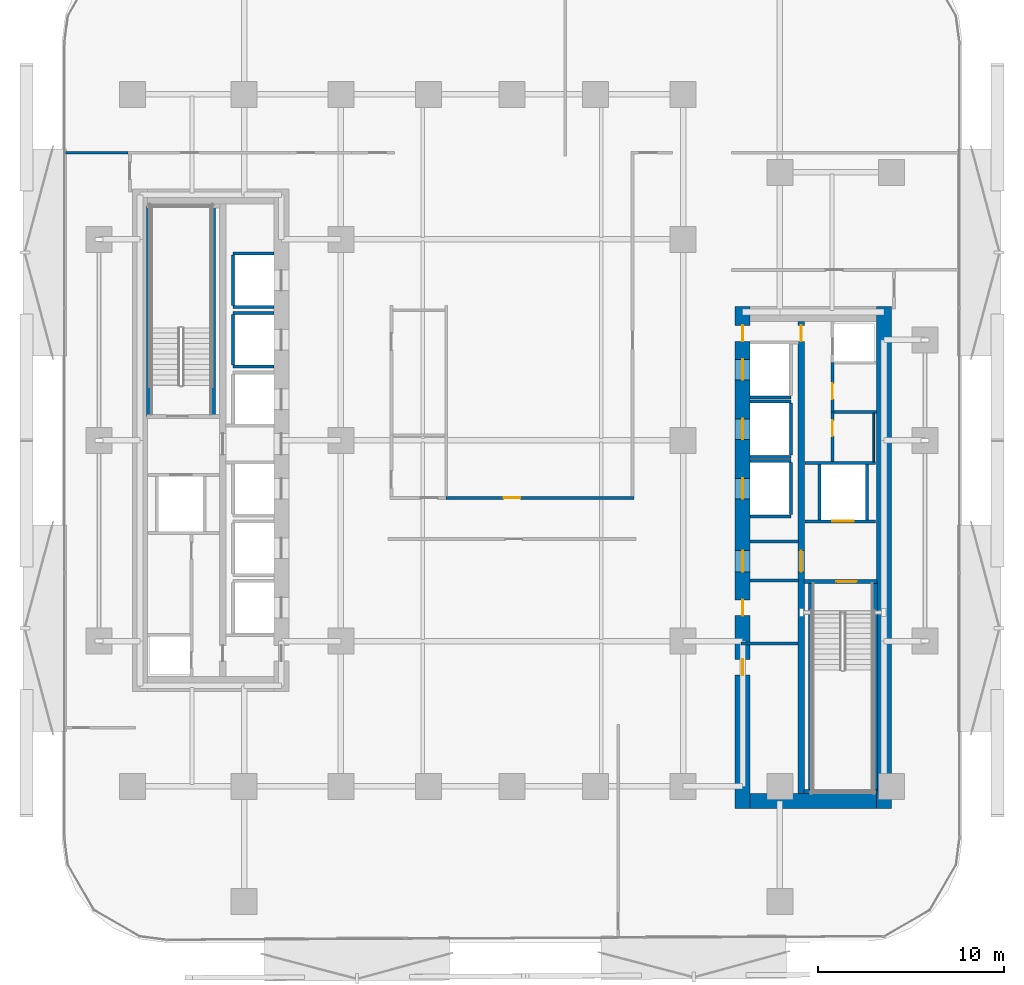
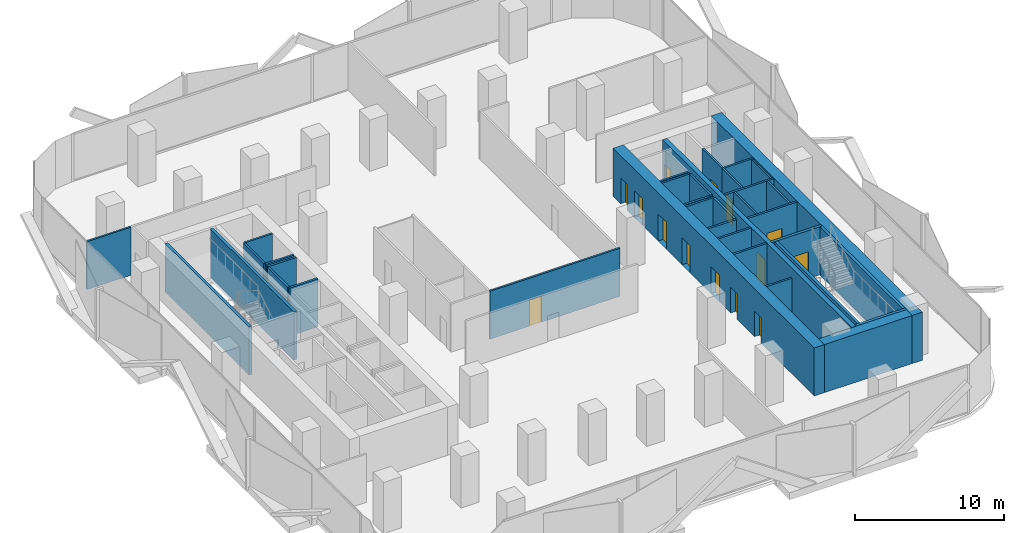
# One storey, part 4 of 15: 36 walls, 14 doors, 14 openings.
"""IFC4 building model written with IfcOpenShell, lengths in metres."""

from ifc_helpers import new_model, si_unit, direction, frame, frame_2d, origin, place, context, subcontext, project, spatial, rectangle, extrude, material, layer, layer_set, type_object, element, fill, save


model = new_model("IFC4")

# Units and contexts
model_context = context("Model", 3, precision=1e-05, world=origin(), true_north=direction((0.0, 1.0)))
body_context = subcontext(model_context, "Body", "Model", "MODEL_VIEW")
ifc_project = project(units=[si_unit("LENGTHUNIT", "METRE"), si_unit("AREAUNIT", "SQUARE_METRE"), si_unit("VOLUMEUNIT", "CUBIC_METRE"), si_unit("PLANEANGLEUNIT", "RADIAN"), si_unit("MASSUNIT", "GRAM", prefix="KILO")], contexts=[model_context])

# Site, building, storey
site_placement = place(None, origin())
site = spatial("IfcSite", under=ifc_project, at=site_placement, CompositionType="ELEMENT")
building_placement = place(site_placement, origin())
building = spatial("IfcBuilding", under=site, at=building_placement, Name="Khairoan Windgate Tower", CompositionType="ELEMENT")
storey_placement = place(building_placement, frame((0.0, 0.0, 34.39990234375)))
storey = spatial("IfcBuildingStorey", under=building, at=storey_placement, Name="L08", CompositionType="ELEMENT", Elevation=34.39990234375)

# Walls
ifc_material_1 = material(Name="Moisture-Resistant Gypsum Partition", Category="gypsum")
ifc_layer_1 = layer(ifc_material_1, 0.10009765625, Name="Moisture-Resistant Gypsum Partition")
ifc_layer_set_1 = layer_set([ifc_layer_1], Name="Moisture-Resistant Gypsum Partition")
wall_type_1 = type_object("IfcWallType", Name="Bathroom Wet-Area Partition Wall", PredefinedType="PARTITIONING", material=ifc_layer_set_1)
wall_1_placement = place(storey_placement, frame((19.449951171875, 1.449951171875, 0.0), z_axis=(0.0, 0.0, 1.0), x_axis=(0.0, -1.0, 0.0)))
element("IfcWall", 1, at=wall_1_placement, inside=storey, type_object=wall_type_1, Name="L08 Wet Room Side Wall 032", PredefinedType="PARTITIONING", context=body_context, shape_type="SweptSolid", body=[
    extrude(rectangle(XDim=2.58984375, YDim=0.10009765625, at=frame_2d((1.294921875, 0.0))), origin(), (0.0, 0.0, 1.0), 3.940185546875),
])
ifc_material_2 = material(Name="Concrete C40/50", Category="concrete")
ifc_layer_2 = layer(ifc_material_2, 0.159912109375, Name="Concrete C40/50")
ifc_layer_set_2 = layer_set([ifc_layer_2], Name="Concrete C40/50")
wall_type_2 = type_object("IfcWallType", Name="Core and Hoistway Enclosure Wall", PredefinedType="STANDARD", material=ifc_layer_set_2)
for number, where, z_axis, x_axis, name in (
    (2, (-14.989990234375, 7.159912109375, 0.0), (0.0, 0.0, 1.0), (1.0, 0.0, 0.0), "L08 Lift PL1 Hoistway Divider S"),
    (3, (-14.989990234375, 10.0400390625, 0.0), (0.0, 0.0, 1.0), (1.0, 0.0, 0.0), "L08 Lift PL1 Hoistway Divider N"),
):
    element("IfcWall", number, at=place(storey_placement, frame(where, z_axis=z_axis, x_axis=x_axis)), inside=storey, type_object=wall_type_2, Name=name, PredefinedType="STANDARD", context=body_context, shape_type="SweptSolid", body=[
        extrude(rectangle(XDim=2.18994140625, YDim=0.159912109375, at=frame_2d((1.094970703125, 0.0))), origin(), (0.0, 0.0, 1.0), 3.940185546875),
    ])
wall_2_placement = place(storey_placement, frame((-14.989990234375, 7.25, 0.0), z_axis=(0.0, 0.0, 1.0), x_axis=(0.0, 1.0, 0.0)))
element("IfcWall", 4, at=wall_2_placement, inside=storey, type_object=wall_type_2, Name="L08 Lift PL1 Hoistway Back Wall", PredefinedType="STANDARD", context=body_context, shape_type="SweptSolid", body=[
    extrude(rectangle(XDim=2.699951171875, YDim=0.159912109375, at=frame_2d((1.35009765625, 0.0))), origin(), (0.0, 0.0, 1.0), 3.940185546875),
])
for number, where, z_axis, x_axis, name in (
    (5, (-14.989990234375, 3.9599609375, 0.0), (0.0, 0.0, 1.0), (1.0, 0.0, 0.0), "L08 Lift PL2 Hoistway Divider S"),
    (6, (-14.989990234375, 6.840087890625, 0.0), (0.0, 0.0, 1.0), (1.0, 0.0, 0.0), "L08 Lift PL2 Hoistway Divider N"),
):
    element("IfcWall", number, at=place(storey_placement, frame(where, z_axis=z_axis, x_axis=x_axis)), inside=storey, type_object=wall_type_2, Name=name, PredefinedType="STANDARD", context=body_context, shape_type="SweptSolid", body=[
        extrude(rectangle(XDim=2.18994140625, YDim=0.159912109375, at=frame_2d((1.094970703125, 0.0))), origin(), (0.0, 0.0, 1.0), 3.940185546875),
    ])
wall_3_placement = place(storey_placement, frame((-14.989990234375, 4.050048828125, 0.0), z_axis=(0.0, 0.0, 1.0), x_axis=(0.0, 1.0, 0.0)))
element("IfcWall", 7, at=wall_3_placement, inside=storey, type_object=wall_type_2, Name="L08 Lift PL2 Hoistway Back Wall", PredefinedType="STANDARD", context=body_context, shape_type="SweptSolid", body=[
    extrude(rectangle(XDim=2.699951171875, YDim=0.159912109375, at=frame_2d((1.35009765625, 0.0))), origin(), (0.0, 0.0, 1.0), 3.940185546875),
])
for number, where, z_axis, x_axis, name in (
    (8, (12.800048828125, 2.31005859375, 0.0), (0.0, 0.0, 1.0), (1.0, 0.0, 0.0), "L08 Lift PL7 Hoistway Divider S"),
    (9, (12.800048828125, -0.889892578125, 0.0), (0.0, 0.0, 1.0), (1.0, 0.0, 0.0), "L08 Lift PL8 Hoistway Divider S"),
    (10, (12.800048828125, 2.090087890625, 0.0), (0.0, 0.0, 1.0), (1.0, 0.0, 0.0), "L08 Lift PL8 Hoistway Divider N"),
):
    element("IfcWall", number, at=place(storey_placement, frame(where, z_axis=z_axis, x_axis=x_axis)), inside=storey, type_object=wall_type_2, Name=name, PredefinedType="STANDARD", context=body_context, shape_type="SweptSolid", body=[
        extrude(rectangle(XDim=2.18994140625, YDim=0.159912109375, at=frame_2d((1.094970703125, 0.0))), origin(), (0.0, 0.0, 1.0), 3.940185546875),
    ])
wall_4_placement = place(storey_placement, frame((14.989990234375, -0.800048828125, 0.0), z_axis=(0.0, 0.0, 1.0), x_axis=(0.0, 1.0, 0.0)))
element("IfcWall", 11, at=wall_4_placement, inside=storey, type_object=wall_type_2, Name="L08 Lift PL8 Hoistway Back Wall", PredefinedType="STANDARD", context=body_context, shape_type="SweptSolid", body=[
    extrude(rectangle(XDim=2.800048828125, YDim=0.159912109375, at=frame_2d((1.39990234375, 0.0))), origin(), (0.0, 0.0, 1.0), 3.940185546875),
])
for number, where, z_axis, x_axis, name in (
    (12, (12.800048828125, -4.090087890625, 0.0), (0.0, 0.0, 1.0), (1.0, 0.0, 0.0), "L08 Lift PL9 Hoistway Divider S"),
    (13, (12.800048828125, -1.110107421875, 0.0), (0.0, 0.0, 1.0), (1.0, 0.0, 0.0), "L08 Lift PL9 Hoistway Divider N"),
):
    element("IfcWall", number, at=place(storey_placement, frame(where, z_axis=z_axis, x_axis=x_axis)), inside=storey, type_object=wall_type_2, Name=name, PredefinedType="STANDARD", context=body_context, shape_type="SweptSolid", body=[
        extrude(rectangle(XDim=2.18994140625, YDim=0.159912109375, at=frame_2d((1.094970703125, 0.0))), origin(), (0.0, 0.0, 1.0), 3.940185546875),
    ])
wall_5_placement = place(storey_placement, frame((14.989990234375, -4.0, 0.0), z_axis=(0.0, 0.0, 1.0), x_axis=(0.0, 1.0, 0.0)))
element("IfcWall", 14, at=wall_5_placement, inside=storey, type_object=wall_type_2, Name="L08 Lift PL9 Hoistway Back Wall", PredefinedType="STANDARD", context=body_context, shape_type="SweptSolid", body=[
    extrude(rectangle(XDim=2.800048828125, YDim=0.159912109375, at=frame_2d((1.39990234375, 0.0))), origin(), (0.0, 0.0, 1.0), 3.940185546875),
])

# Wall, opening, door
wall_6_placement = place(storey_placement, frame((15.75, -4.360107421875, 0.0), z_axis=(0.0, 0.0, 1.0), x_axis=(1.0, 0.0, 0.0)))
wall_6 = element("IfcWall", 15, at=wall_6_placement, inside=storey, type_object=wall_type_2, Name="L08 Core Shaft Wall SW-FL1-L08", PredefinedType="STANDARD", context=body_context, shape_type="SweptSolid", body=[
    extrude(rectangle(XDim=3.800048828125, YDim=0.159912109375, at=frame_2d((1.89990234375, 0.0))), origin(), (0.0, 0.0, 1.0), 3.940185546875),
])
opening_1_placement = place(wall_6_placement, frame((1.469970703125, 0.0, 0.0)))
opening_1 = element("IfcOpeningElement", 16, at=opening_1_placement, cuts=wall_6, Name="Opening LD-FL", PredefinedType="OPENING", context=body_context, shape_type="SweptSolid", body=[
    extrude(rectangle(XDim=1.14990234375, YDim=2.199951171875, at=frame_2d((0.574951171875, 1.10009765625))), frame((0.0, 0.08984375, 0.0), z_axis=(0.0, -1.0, 0.0), x_axis=(1.0, 0.0, 0.0)), (0.0, 0.0, 1.0), 0.179931640625),
])
ifc_material_3 = material(Name="Steel S355", Category="steel")
door_type_1 = type_object("IfcDoorType", Name="Firefighting Lift Sliding Landing Door LD-FL 1150x2200", OperationType="DOUBLE_DOOR_SLIDING", PredefinedType="DOOR", material=ifc_material_3)
door_1_placement = place(opening_1_placement, origin())
door_1 = element("IfcDoor", 17, at=door_1_placement, inside=storey, type_object=door_type_1, Name="L08 Firefighting Lift FL1 Landing Door", OperationType="DOUBLE_DOOR_SLIDING", OverallHeight=2.199951171875, OverallWidth=1.14990234375, PredefinedType="DOOR", context=body_context, shape_type="SweptSolid", body=[
    extrude(rectangle(XDim=1.14990234375, YDim=2.199951171875, at=frame_2d((0.574951171875, 1.10009765625))), frame((0.0, 0.02490234375, 0.0), z_axis=(0.0, -1.0, 0.0), x_axis=(1.0, 0.0, 0.0)), (0.0, 0.0, 1.0), 0.050048828125),
])
fill(opening_1, door_1)

# Walls
wall_7_placement = place(storey_placement, frame((15.75, -1.219970703125, 0.0), z_axis=(0.0, 0.0, 1.0), x_axis=(1.0, 0.0, 0.0)))
element("IfcWall", 18, at=wall_7_placement, inside=storey, type_object=wall_type_2, Name="L08 Core Shaft Wall SW-FL1T-L08", PredefinedType="STANDARD", context=body_context, shape_type="SweptSolid", body=[
    extrude(rectangle(XDim=3.800048828125, YDim=0.159912109375, at=frame_2d((1.89990234375, 0.0))), origin(), (0.0, 0.0, 1.0), 3.940185546875),
])
for number, where, z_axis, x_axis, name in (
    (19, (16.52001953125, -4.280029296875, 0.0), (0.0, 0.0, 1.0), (0.0, 1.0, 0.0), "L08 Core Shaft Wall SW-FL1W-L08"),
    (20, (19.080078125, -4.280029296875, 0.0), (0.0, 0.0, 1.0), (0.0, 1.0, 0.0), "L08 Core Shaft Wall SW-FL1E-L08"),
):
    element("IfcWall", number, at=place(storey_placement, frame(where, z_axis=z_axis, x_axis=x_axis)), inside=storey, type_object=wall_type_2, Name=name, PredefinedType="STANDARD", context=body_context, shape_type="SweptSolid", body=[
        extrude(rectangle(XDim=2.97998046875, YDim=0.159912109375, at=frame_2d((1.489990234375, 0.0))), origin(), (0.0, 0.0, 1.0), 3.940185546875),
    ])
for number, where, z_axis, x_axis, name in (
    (21, (12.800048828125, -5.449951171875, 0.0), (0.0, 0.0, 1.0), (1.0, 0.0, 0.0), "L08 Core Shaft Wall SW-EV1-L08"),
    (22, (12.800048828125, -7.5400390625, 0.0), (0.0, 0.0, 1.0), (1.0, 0.0, 0.0), "L08 Core Shaft Wall SW-EV2-L08"),
):
    element("IfcWall", number, at=place(storey_placement, frame(where, z_axis=z_axis, x_axis=x_axis)), inside=storey, type_object=wall_type_2, Name=name, PredefinedType="STANDARD", context=body_context, shape_type="SweptSolid", body=[
        extrude(rectangle(XDim=2.599853515625, YDim=0.159912109375, at=frame_2d((1.2998046875, 0.0))), origin(), (0.0, 0.0, 1.0), 3.940185546875),
    ])
ifc_material_4 = material(Name="Acoustic Fire-Rated Gypsum Partition", Category="gypsum")
ifc_layer_3 = layer(ifc_material_4, 0.139892578125, Name="Acoustic Fire-Rated Gypsum Partition")
ifc_layer_set_3 = layer_set([ifc_layer_3], Name="Acoustic Fire-Rated Gypsum Partition")
wall_type_3 = type_object("IfcWallType", Name="Inter-Tenancy Compartment Wall", PredefinedType="PARTITIONING", material=ifc_layer_set_3)
wall_8_placement = place(storey_placement, frame((-24.054931640625, 15.4599609375, 0.0), z_axis=(0.0, 0.0, 1.0), x_axis=(1.0, 0.0, 0.0)))
element("IfcWall", 23, at=wall_8_placement, inside=storey, type_object=wall_type_3, Name="L08 Interior Partition 023", PredefinedType="PARTITIONING", context=body_context, shape_type="SweptSolid", body=[
    extrude(rectangle(XDim=3.4150390625, YDim=0.139892578125, at=frame_2d((1.70751953125, 0.0))), origin(), (0.0, 0.0, 1.0), 3.940185546875),
])

# Wall, opening, door
ifc_material_5 = material(Name="Concrete C40/50", Category="concrete")
ifc_layer_4 = layer(ifc_material_5, 0.159912109375, Name="Concrete C40/50")
ifc_layer_set_4 = layer_set([ifc_layer_4], Name="Concrete C40/50")
wall_type_4 = type_object("IfcWallType", Name="Plant and Refuge Compartment Wall", PredefinedType="PARTITIONING", material=ifc_layer_set_4)
wall_9_placement = place(storey_placement, frame((17.22998046875, -1.139892578125, 0.0), z_axis=(0.0, 0.0, 1.0), x_axis=(0.0, 1.0, 0.0)))
wall_9 = element("IfcWall", 24, at=wall_9_placement, inside=storey, type_object=wall_type_4, Name="L08 Interior Partition 005", PredefinedType="PARTITIONING", context=body_context, shape_type="SweptSolid", body=[
    extrude(rectangle(XDim=2.669921875, YDim=0.159912109375, at=frame_2d((1.3349609375, 0.0))), origin(), (0.0, 0.0, 1.0), 3.940185546875),
])
opening_2_placement = place(wall_9_placement, frame((1.360107421875, 0.0, 0.0)))
opening_2 = element("IfcOpeningElement", 25, at=opening_2_placement, cuts=wall_9, Name="Opening FD-SRV", PredefinedType="OPENING", context=body_context, shape_type="SweptSolid", body=[
    extrude(rectangle(XDim=0.85009765625, YDim=2.10009765625, at=frame_2d((0.425048828125, 1.050048828125))), frame((0.0, 0.08984375, 0.0), z_axis=(0.0, -1.0, 0.0), x_axis=(1.0, 0.0, 0.0)), (0.0, 0.0, 1.0), 0.179931640625),
])
ifc_material_6 = material(Name="Steel S355", Category="steel")
door_type_2 = type_object("IfcDoorType", Name="Core Service and Riser Fire Door FD-SRV 850x2100", OperationType="NOTDEFINED", PredefinedType="DOOR", material=ifc_material_6)
door_2_placement = place(opening_2_placement, origin())
door_2 = element("IfcDoor", 26, at=door_2_placement, inside=storey, type_object=door_type_2, Name="L08 L08-18-L08-20 Door", OperationType="SINGLE_SWING_RIGHT", OverallHeight=2.10009765625, OverallWidth=0.85009765625, PredefinedType="DOOR", context=body_context, shape_type="SweptSolid", body=[
    extrude(rectangle(XDim=0.85009765625, YDim=2.10009765625, at=frame_2d((0.425048828125, 1.050048828125))), frame((0.0, 0.02490234375, 0.0), z_axis=(0.0, -1.0, 0.0), x_axis=(1.0, 0.0, 0.0)), (0.0, 0.0, 1.0), 0.050048828125),
])
fill(opening_2, door_2)

wall_10_placement = place(storey_placement, frame((17.22998046875, 1.530029296875, 0.0), z_axis=(0.0, 0.0, 1.0), x_axis=(0.0, 1.0, 0.0)))
wall_10 = element("IfcWall", 27, at=wall_10_placement, inside=storey, type_object=wall_type_4, Name="L08 Interior Partition 006", PredefinedType="PARTITIONING", context=body_context, shape_type="SweptSolid", body=[
    extrude(rectangle(XDim=2.639892578125, YDim=0.159912109375, at=frame_2d((1.31982421875, 0.0))), origin(), (0.0, 0.0, 1.0), 3.940185546875),
])
opening_3_placement = place(wall_10_placement, frame((0.677490234375, 0.0, 0.0)))
opening_3 = element("IfcOpeningElement", 28, at=opening_3_placement, cuts=wall_10, Name="Opening FD-SRV", PredefinedType="OPENING", context=body_context, shape_type="SweptSolid", body=[
    extrude(rectangle(XDim=0.85009765625, YDim=2.10009765625, at=frame_2d((0.425048828125, 1.050048828125))), frame((0.0, 0.08984375, 0.0), z_axis=(0.0, -1.0, 0.0), x_axis=(1.0, 0.0, 0.0)), (0.0, 0.0, 1.0), 0.179931640625),
])
door_3_placement = place(opening_3_placement, origin())
door_3 = element("IfcDoor", 29, at=door_3_placement, inside=storey, type_object=door_type_2, Name="L08 L08-18-L08-21 Door", OperationType="SINGLE_SWING_LEFT", OverallHeight=2.10009765625, OverallWidth=0.85009765625, PredefinedType="DOOR", context=body_context, shape_type="SweptSolid", body=[
    extrude(rectangle(XDim=0.85009765625, YDim=2.10009765625, at=frame_2d((0.425048828125, 1.050048828125))), frame((0.0, 0.02490234375, 0.0), z_axis=(0.0, -1.0, 0.0), x_axis=(1.0, 0.0, 0.0)), (0.0, 0.0, 1.0), 0.050048828125),
])
fill(opening_3, door_3)

# Walls
wall_11_placement = place(storey_placement, frame((17.31005859375, 1.530029296875, 0.0), z_axis=(0.0, 0.0, 1.0), x_axis=(1.0, 0.0, 0.0)))
element("IfcWall", 30, at=wall_11_placement, inside=storey, type_object=wall_type_4, Name="L08 Interior Partition 008", PredefinedType="PARTITIONING", context=body_context, shape_type="SweptSolid", body=[
    extrude(rectangle(XDim=2.2900390625, YDim=0.159912109375, at=frame_2d((1.14501953125, 0.0))), origin(), (0.0, 0.0, 1.0), 3.940185546875),
])
wall_12_placement = place(storey_placement, frame((12.31005859375, -10.919921875, 0.0), z_axis=(0.0, 0.0, 1.0), x_axis=(1.0, 0.0, 0.0)))
element("IfcWall", 31, at=wall_12_placement, inside=storey, type_object=wall_type_4, Name="L08 Interior Partition 009", PredefinedType="PARTITIONING", context=body_context, shape_type="SweptSolid", body=[
    extrude(rectangle(XDim=3.06494140625, YDim=0.159912109375, at=frame_2d((1.532470703125, 0.0))), origin(), (0.0, 0.0, 1.0), 3.14013671875),
])

# Wall, opening, door
ifc_material_7 = material(Name="Acoustic Fire-Rated Gypsum Partition", Category="gypsum")
ifc_layer_5 = layer(ifc_material_7, 0.14990234375, Name="Acoustic Fire-Rated Gypsum Partition")
ifc_layer_set_5 = layer_set([ifc_layer_5], Name="Acoustic Fire-Rated Gypsum Partition")
wall_type_5 = type_object("IfcWallType", Name="Rated Corridor Partition Wall", PredefinedType="PARTITIONING", material=ifc_layer_set_5)
wall_13_placement = place(storey_placement, frame((-3.5400390625, -3.094970703125, 0.0), z_axis=(0.0, 0.0, 1.0), x_axis=(1.0, 0.0, 0.0)))
wall_13 = element("IfcWall", 32, at=wall_13_placement, inside=storey, type_object=wall_type_5, Name="L08 Interior Partition 012", PredefinedType="PARTITIONING", context=body_context, shape_type="SweptSolid", body=[
    extrude(rectangle(XDim=10.10009765625, YDim=0.14990234375, at=frame_2d((5.050048828125, 0.0))), origin(), (0.0, 0.0, 1.0), 3.940185546875),
])
opening_4_placement = place(wall_13_placement, frame((3.08544921875, 0.0, 0.0)))
opening_4 = element("IfcOpeningElement", 33, at=opening_4_placement, cuts=wall_13, Name="Opening FD-ENT", PredefinedType="OPENING", context=body_context, shape_type="SweptSolid", body=[
    extrude(rectangle(XDim=0.89990234375, YDim=2.14990234375, at=frame_2d((0.449951171875, 1.074951171875))), frame((0.0, 0.0849609375, 0.0), z_axis=(0.0, -1.0, 0.0), x_axis=(1.0, 0.0, 0.0)), (0.0, 0.0, 1.0), 0.169921875),
])
ifc_material_8 = material(Name="Timber Fire-Rated Core", Category="wood")
door_type_3 = type_object("IfcDoorType", Name="Unit and Office Fire Entrance Door FD-ENT 900x2150", OperationType="NOTDEFINED", PredefinedType="DOOR", material=ifc_material_8)
door_4_placement = place(opening_4_placement, origin())
door_4 = element("IfcDoor", 34, at=door_4_placement, inside=storey, type_object=door_type_3, Name="L08 L08-31-L08-45 Door", OperationType="SINGLE_SWING_RIGHT", OverallHeight=2.14990234375, OverallWidth=0.89990234375, PredefinedType="DOOR", context=body_context, shape_type="SweptSolid", body=[
    extrude(rectangle(XDim=0.89990234375, YDim=2.14990234375, at=frame_2d((0.449951171875, 1.074951171875))), frame((0.0, 0.02490234375, 0.0), z_axis=(0.0, -1.0, 0.0), x_axis=(1.0, 0.0, 0.0)), (0.0, 0.0, 1.0), 0.050048828125),
])
fill(opening_4, door_4)

# Wall, openings, doors
ifc_material_9 = material(Name="Concrete C70/85", Category="concrete")
ifc_layer_6 = layer(ifc_material_9, 0.800048828125, Name="Concrete C70/85")
ifc_layer_set_6 = layer_set([ifc_layer_6], Name="Concrete C70/85")
wall_type_6 = type_object("IfcWallType", Name="Shear Wall CW-E1 800mm", PredefinedType="SHEAR", material=ifc_layer_set_6)
wall_14_placement = place(storey_placement, frame((12.39990234375, -19.800048828125, 0.0), z_axis=(0.0, 0.0, 1.0), x_axis=(0.0, 1.0, 0.0)))
wall_14 = element("IfcWall", 35, at=wall_14_placement, inside=storey, type_object=wall_type_6, Name="E Core West Shear Wall L08", PredefinedType="SHEAR", context=body_context, shape_type="SweptSolid", body=[
    extrude(rectangle(XDim=27.0, YDim=0.800048828125, at=frame_2d((13.5, 0.0))), origin(), (0.0, 0.0, 1.0), 3.940185546875),
])
opening_5_placement = place(wall_14_placement, frame((23.050048828125, 0.0, 0.0)))
opening_5 = element("IfcOpeningElement", 36, at=opening_5_placement, cuts=wall_14, Name="Opening LD-PL", PredefinedType="OPENING", context=body_context, shape_type="SweptSolid", body=[
    extrude(rectangle(XDim=1.10009765625, YDim=2.199951171875, at=frame_2d((0.550048828125, 1.10009765625))), frame((0.0, 0.409912109375, 0.0), z_axis=(0.0, -1.0, 0.0), x_axis=(1.0, 0.0, 0.0)), (0.0, 0.0, 1.0), 0.820068359375),
])
opening_6_placement = place(wall_14_placement, frame((19.85009765625, 0.0, 0.0)))
opening_6 = element("IfcOpeningElement", 37, at=opening_6_placement, cuts=wall_14, Name="Opening LD-PL", PredefinedType="OPENING", context=body_context, shape_type="SweptSolid", body=[
    extrude(rectangle(XDim=1.10009765625, YDim=2.199951171875, at=frame_2d((0.550048828125, 1.10009765625))), frame((0.0, 0.409912109375, 0.0), z_axis=(0.0, -1.0, 0.0), x_axis=(1.0, 0.0, 0.0)), (0.0, 0.0, 1.0), 0.820068359375),
])
opening_7_placement = place(wall_14_placement, frame((16.64990234375, 0.0, 0.0)))
opening_7 = element("IfcOpeningElement", 38, at=opening_7_placement, cuts=wall_14, Name="Opening LD-PL", PredefinedType="OPENING", context=body_context, shape_type="SweptSolid", body=[
    extrude(rectangle(XDim=1.10009765625, YDim=2.199951171875, at=frame_2d((0.550048828125, 1.10009765625))), frame((0.0, 0.409912109375, 0.0), z_axis=(0.0, -1.0, 0.0), x_axis=(1.0, 0.0, 0.0)), (0.0, 0.0, 1.0), 0.820068359375),
])
opening_8_placement = place(wall_14_placement, frame((7.175048828125, 0.0, 0.0)))
opening_8 = element("IfcOpeningElement", 39, at=opening_8_placement, cuts=wall_14, Name="Opening FD-SRV", PredefinedType="OPENING", context=body_context, shape_type="SweptSolid", body=[
    extrude(rectangle(XDim=0.85009765625, YDim=2.10009765625, at=frame_2d((0.425048828125, 1.050048828125))), frame((0.0, 0.409912109375, 0.0), z_axis=(0.0, -1.0, 0.0), x_axis=(1.0, 0.0, 0.0)), (0.0, 0.0, 1.0), 0.820068359375),
])
opening_9_placement = place(wall_14_placement, frame((10.375, 0.0, 0.0)))
opening_9 = element("IfcOpeningElement", 40, at=opening_9_placement, cuts=wall_14, Name="Opening FD-SRV", PredefinedType="OPENING", context=body_context, shape_type="SweptSolid", body=[
    extrude(rectangle(XDim=0.85009765625, YDim=2.10009765625, at=frame_2d((0.425048828125, 1.050048828125))), frame((0.0, 0.409912109375, 0.0), z_axis=(0.0, -1.0, 0.0), x_axis=(1.0, 0.0, 0.0)), (0.0, 0.0, 1.0), 0.820068359375),
])
opening_10_placement = place(wall_14_placement, frame((12.72509765625, 0.0, 0.0)))
opening_10 = element("IfcOpeningElement", 41, at=opening_10_placement, cuts=wall_14, Name="Opening FD-FFL", PredefinedType="OPENING", context=body_context, shape_type="SweptSolid", body=[
    extrude(rectangle(XDim=1.14990234375, YDim=2.199951171875, at=frame_2d((0.574951171875, 1.10009765625))), frame((0.0, 0.409912109375, 0.0), z_axis=(0.0, -1.0, 0.0), x_axis=(1.0, 0.0, 0.0)), (0.0, 0.0, 1.0), 0.820068359375),
])
opening_11_placement = place(wall_14_placement, frame((25.125, 0.0, 0.0)))
opening_11 = element("IfcOpeningElement", 42, at=opening_11_placement, cuts=wall_14, Name="Opening FD-SRV", PredefinedType="OPENING", context=body_context, shape_type="SweptSolid", body=[
    extrude(rectangle(XDim=0.85009765625, YDim=2.10009765625, at=frame_2d((0.425048828125, 1.050048828125))), frame((0.0, 0.409912109375, 0.0), z_axis=(0.0, -1.0, 0.0), x_axis=(1.0, 0.0, 0.0)), (0.0, 0.0, 1.0), 0.820068359375),
])
door_5_placement = place(opening_8_placement, origin())
door_5 = element("IfcDoor", 43, at=door_5_placement, inside=storey, type_object=door_type_2, Name="L08 East Core Service Room Door 1", OperationType="SINGLE_SWING_LEFT", OverallHeight=2.10009765625, OverallWidth=0.85009765625, PredefinedType="DOOR", context=body_context, shape_type="SweptSolid", body=[
    extrude(rectangle(XDim=0.85009765625, YDim=2.10009765625, at=frame_2d((0.425048828125, 1.050048828125))), frame((0.0, 0.02490234375, 0.0), z_axis=(0.0, -1.0, 0.0), x_axis=(1.0, 0.0, 0.0)), (0.0, 0.0, 1.0), 0.050048828125),
])
fill(opening_8, door_5)
door_6_placement = place(opening_9_placement, origin())
door_6 = element("IfcDoor", 44, at=door_6_placement, inside=storey, type_object=door_type_2, Name="L08 East Core Service Room Door 2", OperationType="SINGLE_SWING_RIGHT", OverallHeight=2.10009765625, OverallWidth=0.85009765625, PredefinedType="DOOR", context=body_context, shape_type="SweptSolid", body=[
    extrude(rectangle(XDim=0.85009765625, YDim=2.10009765625, at=frame_2d((0.425048828125, 1.050048828125))), frame((0.0, 0.02490234375, 0.0), z_axis=(0.0, -1.0, 0.0), x_axis=(1.0, 0.0, 0.0)), (0.0, 0.0, 1.0), 0.050048828125),
])
fill(opening_9, door_6)
door_7_placement = place(opening_11_placement, origin())
door_7 = element("IfcDoor", 45, at=door_7_placement, inside=storey, type_object=door_type_2, Name="L08 East Core Service Vestibule Outer Door", OperationType="SINGLE_SWING_LEFT", OverallHeight=2.10009765625, OverallWidth=0.85009765625, PredefinedType="DOOR", context=body_context, shape_type="SweptSolid", body=[
    extrude(rectangle(XDim=0.85009765625, YDim=2.10009765625, at=frame_2d((0.425048828125, 1.050048828125))), frame((0.0, 0.02490234375, 0.0), z_axis=(0.0, -1.0, 0.0), x_axis=(1.0, 0.0, 0.0)), (0.0, 0.0, 1.0), 0.050048828125),
])
fill(opening_11, door_7)
ifc_material_10 = material(Name="Steel S355", Category="steel")
door_type_4 = type_object("IfcDoorType", Name="Firefighting Lobby Fire Door FD-FFL 1150x2200", OperationType="NOTDEFINED", PredefinedType="DOOR", material=ifc_material_10)
door_8_placement = place(opening_10_placement, origin())
door_8 = element("IfcDoor", 46, at=door_8_placement, inside=storey, type_object=door_type_4, Name="L08 East Core Vestibule Entry Door", OperationType="SINGLE_SWING_LEFT", OverallHeight=2.199951171875, OverallWidth=1.14990234375, PredefinedType="DOOR", context=body_context, shape_type="SweptSolid", body=[
    extrude(rectangle(XDim=1.14990234375, YDim=2.199951171875, at=frame_2d((0.574951171875, 1.10009765625))), frame((0.0, 0.02490234375, 0.0), z_axis=(0.0, -1.0, 0.0), x_axis=(1.0, 0.0, 0.0)), (0.0, 0.0, 1.0), 0.050048828125),
])
fill(opening_10, door_8)
ifc_material_11 = material(Name="Anodised Bronze Aluminium 6063-T6", Category="aluminium")
door_type_5 = type_object("IfcDoorType", Name="Passenger Lift Sliding Landing Door LD-PL 1100x2200", OperationType="DOUBLE_DOOR_SLIDING", PredefinedType="DOOR", material=ifc_material_11)
door_9_placement = place(opening_5_placement, origin())
door_9 = element("IfcDoor", 47, at=door_9_placement, inside=storey, type_object=door_type_5, Name="L08 Lift PL7 Sliding Landing Door", OperationType="DOUBLE_DOOR_SLIDING", OverallHeight=2.199951171875, OverallWidth=1.10009765625, PredefinedType="DOOR", context=body_context, shape_type="SweptSolid", body=[
    extrude(rectangle(XDim=1.10009765625, YDim=2.199951171875, at=frame_2d((0.550048828125, 1.10009765625))), frame((0.0, 0.02490234375, 0.0), z_axis=(0.0, -1.0, 0.0), x_axis=(1.0, 0.0, 0.0)), (0.0, 0.0, 1.0), 0.050048828125),
])
fill(opening_5, door_9)
door_10_placement = place(opening_6_placement, origin())
door_10 = element("IfcDoor", 48, at=door_10_placement, inside=storey, type_object=door_type_5, Name="L08 Lift PL8 Sliding Landing Door", OperationType="DOUBLE_DOOR_SLIDING", OverallHeight=2.199951171875, OverallWidth=1.10009765625, PredefinedType="DOOR", context=body_context, shape_type="SweptSolid", body=[
    extrude(rectangle(XDim=1.10009765625, YDim=2.199951171875, at=frame_2d((0.550048828125, 1.10009765625))), frame((0.0, 0.02490234375, 0.0), z_axis=(0.0, -1.0, 0.0), x_axis=(1.0, 0.0, 0.0)), (0.0, 0.0, 1.0), 0.050048828125),
])
fill(opening_6, door_10)
door_11_placement = place(opening_7_placement, origin())
door_11 = element("IfcDoor", 49, at=door_11_placement, inside=storey, type_object=door_type_5, Name="L08 Lift PL9 Sliding Landing Door", OperationType="DOUBLE_DOOR_SLIDING", OverallHeight=2.199951171875, OverallWidth=1.10009765625, PredefinedType="DOOR", context=body_context, shape_type="SweptSolid", body=[
    extrude(rectangle(XDim=1.10009765625, YDim=2.199951171875, at=frame_2d((0.550048828125, 1.10009765625))), frame((0.0, 0.02490234375, 0.0), z_axis=(0.0, -1.0, 0.0), x_axis=(1.0, 0.0, 0.0)), (0.0, 0.0, 1.0), 0.050048828125),
])
fill(opening_7, door_11)

# Walls
wall_15_placement = place(storey_placement, frame((20.0, -19.800048828125, 0.0), z_axis=(0.0, 0.0, 1.0), x_axis=(0.0, 1.0, 0.0)))
element("IfcWall", 50, at=wall_15_placement, inside=storey, type_object=wall_type_6, Name="E Core East Shear Wall L08", PredefinedType="SHEAR", context=body_context, shape_type="SweptSolid", body=[
    extrude(rectangle(XDim=27.0, YDim=0.800048828125, at=frame_2d((13.5, 0.0))), origin(), (0.0, 0.0, 1.0), 3.940185546875),
])
wall_16_placement = place(storey_placement, frame((12.800048828125, -19.39990234375, 0.0), z_axis=(0.0, 0.0, 1.0), x_axis=(1.0, 0.0, 0.0)))
element("IfcWall", 51, at=wall_16_placement, inside=storey, type_object=wall_type_6, Name="E Core South Shear Wall L08", PredefinedType="SHEAR", context=body_context, shape_type="SweptSolid", body=[
    extrude(rectangle(XDim=6.800048828125, YDim=0.800048828125, at=frame_2d((3.39990234375, 0.0))), origin(), (0.0, 0.0, 1.0), 3.940185546875),
])

# Wall, openings, doors
ifc_material_12 = material(Name="Concrete C60/75", Category="concrete")
ifc_layer_7 = layer(ifc_material_12, 0.35009765625, Name="Concrete C60/75")
ifc_layer_set_7 = layer_set([ifc_layer_7], Name="Concrete C60/75")
wall_type_7 = type_object("IfcWallType", Name="Shear Wall SW-1 350mm", PredefinedType="SHEAR", material=ifc_layer_set_7)
wall_17_placement = place(storey_placement, frame((15.550048828125, -19.0, 0.0), z_axis=(0.0, 0.0, 1.0), x_axis=(0.0, 1.0, 0.0)))
wall_17 = element("IfcWall", 52, at=wall_17_placement, inside=storey, type_object=wall_type_7, Name="E Core Spine Shear Wall L08", PredefinedType="SHEAR", context=body_context, shape_type="SweptSolid", body=[
    extrude(rectangle(XDim=25.39990234375, YDim=0.35009765625, at=frame_2d((12.699951171875, 0.0))), origin(), (0.0, 0.0, 1.0), 3.940185546875),
])
opening_12_placement = place(wall_17_placement, frame((11.925048828125, 0.0, 0.0)))
opening_12 = element("IfcOpeningElement", 53, at=opening_12_placement, cuts=wall_17, Name="Opening FD-FFL", PredefinedType="OPENING", context=body_context, shape_type="SweptSolid", body=[
    extrude(rectangle(XDim=1.14990234375, YDim=2.199951171875, at=frame_2d((0.574951171875, 1.10009765625))), frame((0.0, 0.18505859375, 0.0), z_axis=(0.0, -1.0, 0.0), x_axis=(1.0, 0.0, 0.0)), (0.0, 0.0, 1.0), 0.3701171875),
])
opening_13_placement = place(wall_17_placement, frame((24.324951171875, 0.0, 0.0)))
opening_13 = element("IfcOpeningElement", 54, at=opening_13_placement, cuts=wall_17, Name="Opening FD-SRV", PredefinedType="OPENING", context=body_context, shape_type="SweptSolid", body=[
    extrude(rectangle(XDim=0.85009765625, YDim=2.10009765625, at=frame_2d((0.425048828125, 1.050048828125))), frame((0.0, 0.18505859375, 0.0), z_axis=(0.0, -1.0, 0.0), x_axis=(1.0, 0.0, 0.0)), (0.0, 0.0, 1.0), 0.3701171875),
])
door_12_placement = place(opening_13_placement, origin())
door_12 = element("IfcDoor", 55, at=door_12_placement, inside=storey, type_object=door_type_2, Name="L08 East Core Service Passage Inner Door", OperationType="SINGLE_SWING_RIGHT", OverallHeight=2.10009765625, OverallWidth=0.85009765625, PredefinedType="DOOR", context=body_context, shape_type="SweptSolid", body=[
    extrude(rectangle(XDim=0.85009765625, YDim=2.10009765625, at=frame_2d((0.425048828125, 1.050048828125))), frame((0.0, 0.02490234375, 0.0), z_axis=(0.0, -1.0, 0.0), x_axis=(1.0, 0.0, 0.0)), (0.0, 0.0, 1.0), 0.050048828125),
])
fill(opening_13, door_12)
door_13_placement = place(opening_12_placement, origin())
door_13 = element("IfcDoor", 56, at=door_13_placement, inside=storey, type_object=door_type_4, Name="L08 East Firefighting Lobby Fire Door", OperationType="SINGLE_SWING_RIGHT", OverallHeight=2.199951171875, OverallWidth=1.14990234375, PredefinedType="DOOR", context=body_context, shape_type="SweptSolid", body=[
    extrude(rectangle(XDim=1.14990234375, YDim=2.199951171875, at=frame_2d((0.574951171875, 1.10009765625))), frame((0.0, 0.02490234375, 0.0), z_axis=(0.0, -1.0, 0.0), x_axis=(1.0, 0.0, 0.0)), (0.0, 0.0, 1.0), 0.050048828125),
])
fill(opening_12, door_13)

# Walls
ifc_material_13 = material(Name="Concrete C50/60", Category="concrete")
ifc_layer_8 = layer(ifc_material_13, 0.219970703125, Name="Concrete C50/60")
ifc_layer_set_8 = layer_set([ifc_layer_8], Name="Concrete C50/60")
wall_type_8 = type_object("IfcWallType", Name="Shear Wall SW-ST 220mm", PredefinedType="SHEAR", material=ifc_layer_set_8)
for number, where, z_axis, x_axis, name in (
    (57, (16.0400390625, -18.889892578125, 0.0), (0.0, 0.0, 1.0), (0.0, 1.0, 0.0), "L08 Stair ST1 West Bearing Wall"),
    (58, (19.530029296875, -18.889892578125, 0.0), (0.0, 0.0, 1.0), (0.0, 1.0, 0.0), "L08 Stair ST1 East Bearing Wall"),
):
    element("IfcWall", number, at=place(storey_placement, frame(where, z_axis=z_axis, x_axis=x_axis)), inside=storey, type_object=wall_type_8, Name=name, PredefinedType="SHEAR", context=body_context, shape_type="SweptSolid", body=[
        extrude(rectangle(XDim=11.2998046875, YDim=0.219970703125, at=frame_2d((5.64990234375, 0.0))), origin(), (0.0, 0.0, 1.0), 3.940185546875),
    ])
wall_18_placement = place(storey_placement, frame((15.705078125, -18.889892578125, 0.0), z_axis=(0.0, 0.0, 1.0), x_axis=(1.0, 0.0, 0.0)))
element("IfcWall", 59, at=wall_18_placement, inside=storey, type_object=wall_type_8, Name="L08 Stair ST1 South Bearing Wall", PredefinedType="SHEAR", context=body_context, shape_type="SweptSolid", body=[
    extrude(rectangle(XDim=3.9150390625, YDim=0.219970703125, at=frame_2d((1.95751953125, 0.0))), origin(), (0.0, 0.0, 1.0), 3.940185546875),
])

# Wall, opening, door
wall_19_placement = place(storey_placement, frame((19.6201171875, -7.590087890625, 0.0), z_axis=(0.0, 0.0, 1.0), x_axis=(-1.0, 0.0, 0.0)))
wall_19 = element("IfcWall", 60, at=wall_19_placement, inside=storey, type_object=wall_type_8, Name="L08 Stair ST1 North Bearing Wall", PredefinedType="SHEAR", context=body_context, shape_type="SweptSolid", body=[
    extrude(rectangle(XDim=3.9150390625, YDim=0.219970703125, at=frame_2d((1.95751953125, 0.0))), origin(), (0.0, 0.0, 1.0), 3.940185546875),
])
opening_14_placement = place(wall_19_placement, frame((1.080078125, 0.0, 0.0)))
opening_14 = element("IfcOpeningElement", 61, at=opening_14_placement, cuts=wall_19, Name="Opening FD-ST", PredefinedType="OPENING", context=body_context, shape_type="SweptSolid", body=[
    extrude(rectangle(XDim=1.10009765625, YDim=2.199951171875, at=frame_2d((0.550048828125, 1.10009765625))), frame((0.0, 0.119873046875, 0.0), z_axis=(0.0, -1.0, 0.0), x_axis=(1.0, 0.0, 0.0)), (0.0, 0.0, 1.0), 0.239990234375),
])
ifc_material_14 = material(Name="Steel S355", Category="steel")
door_type_6 = type_object("IfcDoorType", Name="Smokeproof Stair Fire Door FD-ST 1100x2200", OperationType="NOTDEFINED", PredefinedType="DOOR", material=ifc_material_14)
door_14_placement = place(opening_14_placement, origin())
door_14 = element("IfcDoor", 62, at=door_14_placement, inside=storey, type_object=door_type_6, Name="L08 Stair ST1 Fire Door", OperationType="SINGLE_SWING_LEFT", OverallHeight=2.199951171875, OverallWidth=1.10009765625, PredefinedType="DOOR", context=body_context, shape_type="SweptSolid", body=[
    extrude(rectangle(XDim=1.10009765625, YDim=2.199951171875, at=frame_2d((0.550048828125, 1.10009765625))), frame((0.0, 0.02490234375, 0.0), z_axis=(0.0, -1.0, 0.0), x_axis=(1.0, 0.0, 0.0)), (0.0, 0.0, 1.0), 0.050048828125),
])
fill(opening_14, door_14)

# Walls
for number, where, z_axis, x_axis, name in (
    (63, (-16.0400390625, 1.2900390625, 0.0), (0.0, 0.0, 1.0), (0.0, 1.0, 0.0), "L08 Stair ST2 East Bearing Wall"),
    (64, (-19.530029296875, 1.2900390625, 0.0), (0.0, 0.0, 1.0), (0.0, 1.0, 0.0), "L08 Stair ST2 West Bearing Wall"),
):
    element("IfcWall", number, at=place(storey_placement, frame(where, z_axis=z_axis, x_axis=x_axis)), inside=storey, type_object=wall_type_8, Name=name, PredefinedType="SHEAR", context=body_context, shape_type="SweptSolid", body=[
        extrude(rectangle(XDim=11.300048828125, YDim=0.219970703125, at=frame_2d((5.64990234375, 0.0))), origin(), (0.0, 0.0, 1.0), 3.940185546875),
    ])

save(model, "model.ifc")
